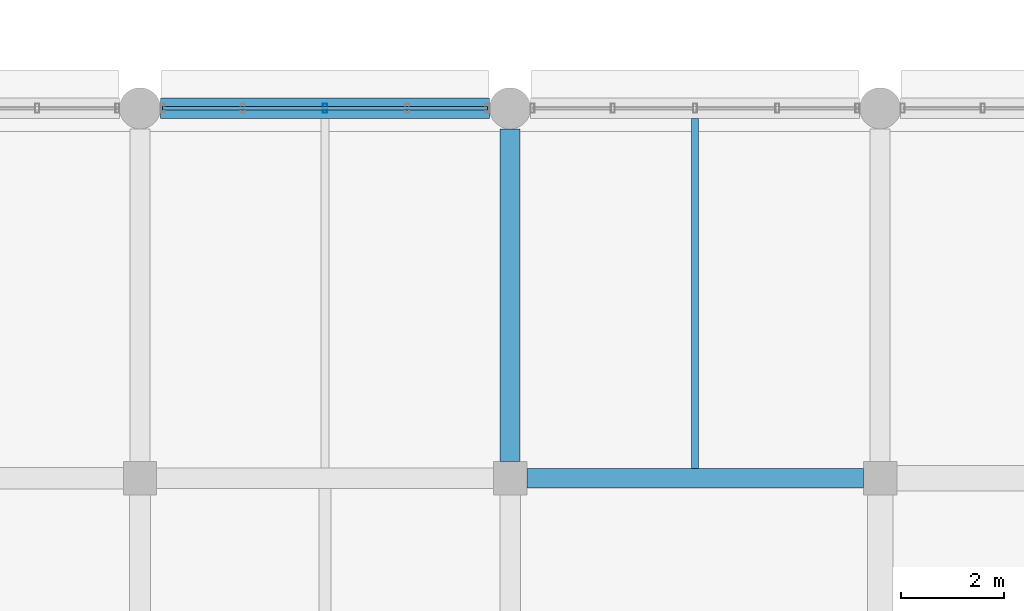
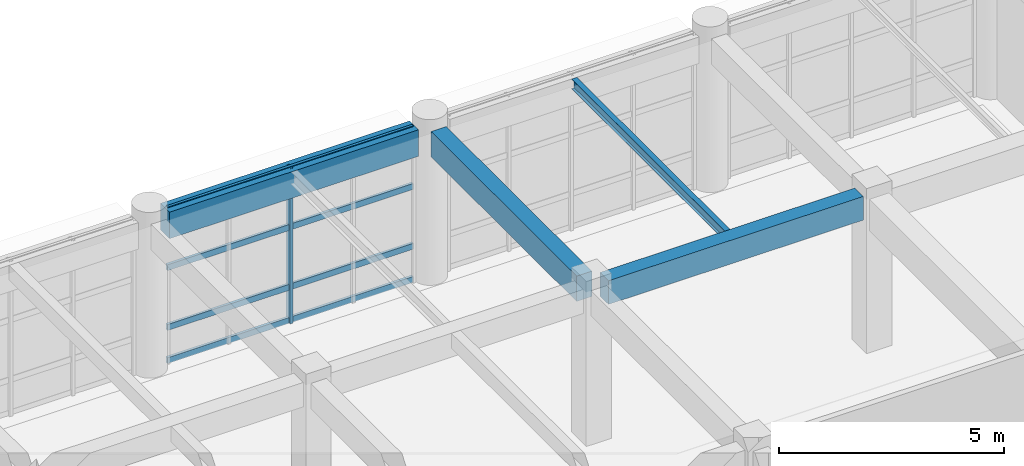
# One storey, part 57 of 171: 5 members, 4 beams, 1 element without a shape of its own.
"""IFC4 building model written with IfcOpenShell, lengths in metres."""

from ifc_helpers import new_model, si_unit, direction, frame, origin, origin_2d, place, context, subcontext, project, spatial, rectangle, hollow_rectangle, i_section, extrude, material, material_profile, profile_set, type_object, element, aggregate, save


model = new_model("IFC4")

# Units and contexts
model_context = context("Model", 3, precision=1e-05, world=origin(), true_north=direction((0.0, 1.0)))
body_context = subcontext(model_context, "Body", "Model", "MODEL_VIEW")
ifc_project = project(units=[si_unit("LENGTHUNIT", "METRE"), si_unit("AREAUNIT", "SQUARE_METRE"), si_unit("VOLUMEUNIT", "CUBIC_METRE"), si_unit("PLANEANGLEUNIT", "RADIAN"), si_unit("MASSUNIT", "GRAM", prefix="KILO")], contexts=[model_context])

# Site, building, storey
site_placement = place(None, origin())
site = spatial("IfcSite", under=ifc_project, at=site_placement, CompositionType="ELEMENT")
building_placement = place(site_placement, origin())
building = spatial("IfcBuilding", under=site, at=building_placement, Name="Thalmaran Polytechnic", CompositionType="ELEMENT")
storey_placement = place(building_placement, frame((0.0, 0.0, 5.39990234375)))
storey = spatial("IfcBuildingStorey", under=building, at=storey_placement, Name="L01", CompositionType="ELEMENT", Elevation=5.39990234375)

# Beams
ifc_material_1 = material(Name="Concrete C40/50", Category="concrete")
ifc_material_profile_1 = material_profile(ifc_material_1, rectangle(XDim=0.389892578125, YDim=0.68994140625, at=origin_2d()), Name="RC 390x690")
ifc_profile_set_1 = profile_set([ifc_material_profile_1], Name="Concrete C40/50")
beam_type_1 = type_object("IfcBeamType", Name="BM-RC09", PredefinedType="BEAM", material=ifc_profile_set_1)
beam_1_placement = place(storey_placement, frame((50.39990234375, 65.125, 3.864990234375), z_axis=(0.0, 1.0, 0.0), x_axis=(-1.0, 0.0, 0.0)))
element("IfcBeam", 1, at=beam_1_placement, inside=storey, type_object=beam_type_1, Name="Grid Beam B09 L01 Y(7,9)", PredefinedType="BEAM", context=body_context, shape_type="SweptSolid", body=[
    extrude(rectangle(XDim=0.389892578125, YDim=0.68994140625, at=origin_2d()), origin(), (0.0, 0.0, 1.0), 6.47509765625),
])
ifc_material_2 = material(Name="Steel S355", Category="steel")
ifc_material_profile_2 = material_profile(ifc_material_2, i_section(OverallWidth=0.135009765625, OverallDepth=0.27001953125, WebThickness=0.006591796875, FlangeThickness=0.01025390625, at=origin_2d()), Name="IPE 270")
ifc_profile_set_2 = profile_set([ifc_material_profile_2], Name="Steel S355")
beam_type_2 = type_object("IfcBeamType", Name="BM-SJ03", PredefinedType="JOIST", material=ifc_profile_set_2)
beam_2_placement = place(storey_placement, frame((54.0, 64.989990234375, 4.0751953125), z_axis=(0.0, 1.0, 0.0), x_axis=(-1.0, 0.0, 0.0)))
element("IfcBeam", 2, at=beam_2_placement, inside=storey, type_object=beam_type_2, Name="Secondary Floor Rib SJ03 L01 (7,9)", PredefinedType="JOIST", context=body_context, shape_type="SweptSolid", body=[
    extrude(i_section(OverallWidth=0.135009765625, OverallDepth=0.27001953125, WebThickness=0.006591796875, FlangeThickness=0.01025390625, at=origin_2d()), origin(), (0.0, 0.0, 1.0), 6.81005859375),
])
ifc_material_profile_3 = material_profile(ifc_material_1, rectangle(XDim=0.39990234375, YDim=0.719970703125, at=origin_2d()), Name="RC 400x720")
ifc_profile_set_3 = profile_set([ifc_material_profile_3], Name="Concrete C40/50")
beam_type_3 = type_object("IfcBeamType", Name="BM-SP01", PredefinedType="SPANDREL", material=ifc_profile_set_3)
beam_3_placement = place(storey_placement, frame((43.60009765625, 72.0, 3.85009765625), z_axis=(1.0, 0.0, 0.0), x_axis=(0.0, 1.0, 0.0)))
element("IfcBeam", 3, at=beam_3_placement, inside=storey, type_object=beam_type_3, Name="Grid Beam SP01 L01 X(6,10)", PredefinedType="SPANDREL", context=body_context, shape_type="SweptSolid", body=[
    extrude(rectangle(XDim=0.39990234375, YDim=0.719970703125, at=origin_2d()), origin(), (0.0, 0.0, 1.0), 6.39990234375),
])
ifc_material_profile_4 = material_profile(ifc_material_1, rectangle(XDim=0.3798828125, YDim=0.639892578125, at=origin_2d()), Name="RC 380x640")
ifc_profile_set_4 = profile_set([ifc_material_profile_4], Name="Concrete C40/50")
beam_type_4 = type_object("IfcBeamType", Name="BM-ZB05", PredefinedType="BEAM", material=ifc_profile_set_4)
beam_4_placement = place(storey_placement, frame((50.72509765625, 64.800048828125, 3.89013671875), z_axis=(1.0, 0.0, 0.0), x_axis=(0.0, 1.0, 0.0)))
element("IfcBeam", 4, at=beam_4_placement, inside=storey, type_object=beam_type_4, Name="Grid Beam ZB05 L01 X(7,9)", PredefinedType="BEAM", context=body_context, shape_type="SweptSolid", body=[
    extrude(rectangle(XDim=0.3798828125, YDim=0.639892578125, at=origin_2d()), origin(), (0.0, 0.0, 1.0), 6.5498046875),
])

# Curtain wall, members
ifc_material_3 = material(Name="Aluminium 6063-T6", Category="aluminium")
curtain_wall_type = type_object("IfcCurtainWallType", Name="CW-SC01", PredefinedType="USERDEFINED", material=ifc_material_3)
curtain_wall_placement = place(storey_placement, origin())
curtain_wall = element("IfcCurtainWall", 5, at=curtain_wall_placement, inside=storey, type_object=curtain_wall_type, Name="Curtain Wall CW-L01-142", ObjectType="STICK CURTAIN WALL", PredefinedType="USERDEFINED")
ifc_material_profile_5 = material_profile(ifc_material_3, hollow_rectangle(XDim=0.080078125, YDim=0.179931640625, WallThickness=0.0048828125, at=origin_2d()), Name="RHS 180x80x5.0")
ifc_profile_set_5 = profile_set([ifc_material_profile_5], Name="Aluminium 6063-T6")
member_type_1 = type_object("IfcMemberType", Name="CW-MUL1", PredefinedType="MULLION", material=ifc_profile_set_5)
member_1_placement = place(storey_placement, frame((46.800048828125, 72.0, 0.0), z_axis=(0.0, 0.0, 1.0), x_axis=(1.0, 0.0, 0.0)))
member_1 = element("IfcMember", 6, at=member_1_placement, type_object=member_type_1, Name="CW-L01-142 Mullion 3", PredefinedType="MULLION", context=body_context, shape_type="SweptSolid", body=[
    extrude(hollow_rectangle(XDim=0.080078125, YDim=0.179931640625, WallThickness=0.0048828125, at=origin_2d()), origin(), (0.0, 0.0, 1.0), 4.210205078125),
])
ifc_material_profile_6 = material_profile(ifc_material_3, hollow_rectangle(XDim=0.070068359375, YDim=0.159912109375, WallThickness=0.00390625, at=origin_2d()), Name="AL 160x70x4.0")
ifc_profile_set_6 = profile_set([ifc_material_profile_6], Name="Aluminium 6063-T6")
member_type_2 = type_object("IfcMemberType", Name="CW-TRN1", PredefinedType="USERDEFINED", material=ifc_profile_set_6)
member_2_placement = place(storey_placement, frame((43.639892578125, 72.0, 0.06005859375), z_axis=(1.0, 0.0, 0.0), x_axis=(0.0, 1.0, 0.0)))
member_2 = element("IfcMember", 7, at=member_2_placement, type_object=member_type_2, Name="CW-L01-142 Transom 1", ObjectType="TRANSOM", PredefinedType="USERDEFINED", context=body_context, shape_type="SweptSolid", body=[
    extrude(hollow_rectangle(XDim=0.070068359375, YDim=0.159912109375, WallThickness=0.00390625, at=origin_2d()), origin(), (0.0, 0.0, 1.0), 6.320068359375),
])
member_3_placement = place(storey_placement, frame((43.639892578125, 72.0, 0.960205078125), z_axis=(1.0, 0.0, 0.0), x_axis=(0.0, 1.0, 0.0)))
member_3 = element("IfcMember", 8, at=member_3_placement, type_object=member_type_2, Name="CW-L01-142 Transom 2", ObjectType="TRANSOM", PredefinedType="USERDEFINED", context=body_context, shape_type="SweptSolid", body=[
    extrude(hollow_rectangle(XDim=0.070068359375, YDim=0.159912109375, WallThickness=0.00390625, at=origin_2d()), origin(), (0.0, 0.0, 1.0), 6.320068359375),
])
member_4_placement = place(storey_placement, frame((43.639892578125, 72.0, 2.585205078125), z_axis=(1.0, 0.0, 0.0), x_axis=(0.0, 1.0, 0.0)))
member_4 = element("IfcMember", 9, at=member_4_placement, type_object=member_type_2, Name="CW-L01-142 Transom 3", ObjectType="TRANSOM", PredefinedType="USERDEFINED", context=body_context, shape_type="SweptSolid", body=[
    extrude(hollow_rectangle(XDim=0.070068359375, YDim=0.159912109375, WallThickness=0.00390625, at=origin_2d()), origin(), (0.0, 0.0, 1.0), 6.320068359375),
])
member_5_placement = place(storey_placement, frame((43.639892578125, 72.0, 4.150146484375), z_axis=(1.0, 0.0, 0.0), x_axis=(0.0, 1.0, 0.0)))
member_5 = element("IfcMember", 10, at=member_5_placement, type_object=member_type_2, Name="CW-L01-142 Transom 4", ObjectType="TRANSOM", PredefinedType="USERDEFINED", context=body_context, shape_type="SweptSolid", body=[
    extrude(hollow_rectangle(XDim=0.070068359375, YDim=0.159912109375, WallThickness=0.00390625, at=origin_2d()), origin(), (0.0, 0.0, 1.0), 6.320068359375),
])
aggregate(curtain_wall, [member_1, member_2, member_3, member_4, member_5])

save(model, "model.ifc")
